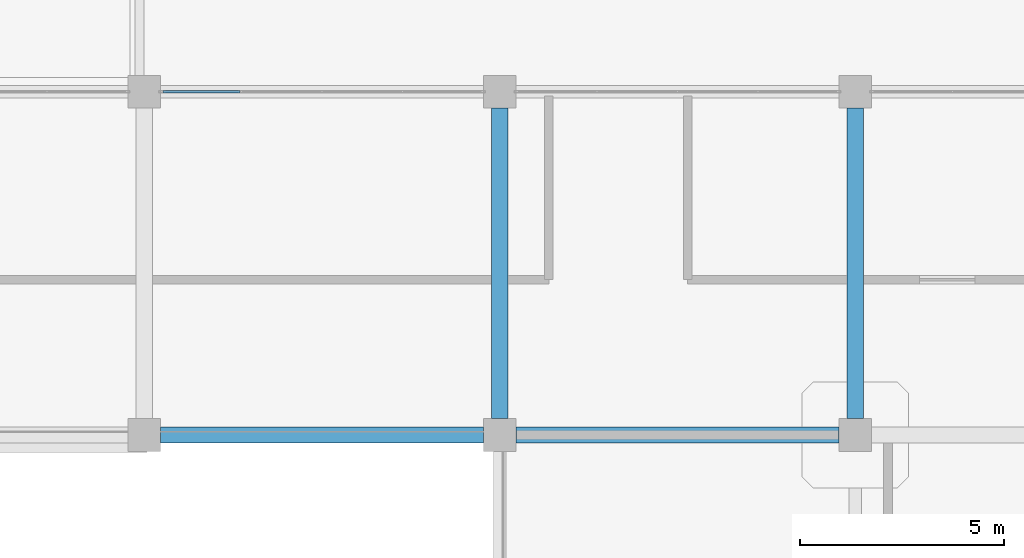
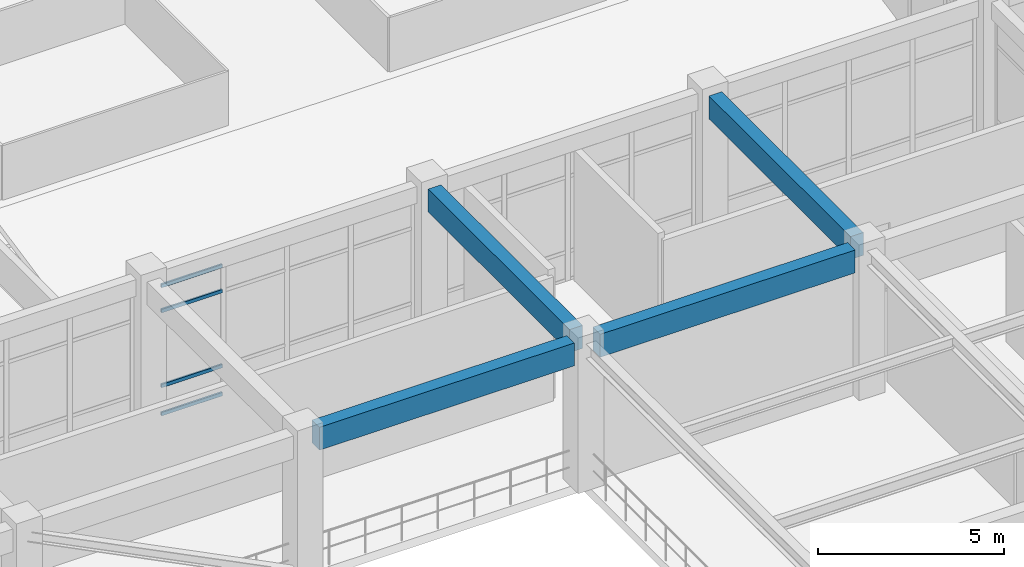
# One storey, part 52 of 124: 4 beams, 4 members, 1 element without a shape of its own.
"""IFC4 building model written with IfcOpenShell, lengths in metres."""

from ifc_helpers import new_model, si_unit, derived_unit, direction, frame, origin, origin_2d, place, context, subcontext, project, spatial, rectangle, hollow_rectangle, extrude, material, layer, layer_set, material_profile, profile_set, type_object, element, aggregate, save


model = new_model("IFC4")

# Units and contexts
model_context = context("Model", 3, precision=1e-05, world=origin(), true_north=direction((0.0, 1.0)))
body_context = subcontext(model_context, "Body", "Model", "MODEL_VIEW")
ifc_project = project(units=[si_unit("LENGTHUNIT", "METRE"), si_unit("AREAUNIT", "SQUARE_METRE"), si_unit("VOLUMEUNIT", "CUBIC_METRE"), si_unit("PLANEANGLEUNIT", "RADIAN"), si_unit("MASSUNIT", "GRAM", prefix="KILO"), derived_unit("THERMALTRANSMITTANCEUNIT", [(si_unit("MASSUNIT", "GRAM", prefix="KILO"), 1), (si_unit("TIMEUNIT", "SECOND"), -3), (si_unit("THERMODYNAMICTEMPERATUREUNIT", "KELVIN"), -1)])], contexts=[model_context])

# Site, building, storey
site_placement = place(None, origin())
site = spatial("IfcSite", under=ifc_project, at=site_placement, CompositionType="ELEMENT")
building_placement = place(site_placement, origin())
building = spatial("IfcBuilding", under=site, at=building_placement, Name="Qinzheling Arcade Emporium", CompositionType="ELEMENT")
storey_placement = place(building_placement, frame((0.0, 0.0, 16.5)))
storey = spatial("IfcBuildingStorey", under=building, at=storey_placement, Name="L04", CompositionType="ELEMENT", Elevation=16.5)

# Curtain wall, members
ifc_material_1 = material(Name="Anodised aluminium and solar-control double glazing", Category="aluminium")
ifc_layer = layer(ifc_material_1, 0.159912109375, Name="Anodised aluminium and solar-control double glazing", Category="aluminium")
ifc_layer_set = layer_set([ifc_layer], Name="Anodised aluminium and solar-control double glazing")
curtain_wall_type = type_object("IfcCurtainWallType", Name="Atrium Clerestory Curtain Wall", PredefinedType="NOTDEFINED", material=ifc_layer_set)
curtain_wall_placement = place(storey_placement, origin())
curtain_wall = element("IfcCurtainWall", 1, at=curtain_wall_placement, inside=storey, type_object=curtain_wall_type, Name="Curtain Wall CW-L04-247", PredefinedType="NOTDEFINED")
ifc_material_2 = material(Name="Anodised aluminium 6063-T6", Category="aluminium")
ifc_material_profile_1 = material_profile(ifc_material_2, hollow_rectangle(XDim=0.06005859375, YDim=0.1201171875, WallThickness=0.00390625, InnerFilletRadius=0.00390625, OuterFilletRadius=0.008056640625, at=origin_2d()), Name="RHS 120x60x4", Category="aluminium")
ifc_profile_set_1 = profile_set([ifc_material_profile_1], Name="Anodised aluminium 6063-T6")
member_type = type_object("IfcMemberType", Name="Curtain Wall Transom RHS120x60", PredefinedType="USERDEFINED", material=ifc_profile_set_1)
member_1_placement = place(storey_placement, frame((78.761962890625, 73.800048828125, 0.030029296875), z_axis=(1.0, 0.0, 0.0), x_axis=(0.0, 1.0, 0.0)))
member_1 = element("IfcMember", 2, at=member_1_placement, type_object=member_type, Name="CW03 transom 1.1", ObjectType="TRANSOM", PredefinedType="USERDEFINED", context=body_context, shape_type="SweptSolid", body=[
    extrude(hollow_rectangle(XDim=0.06005859375, YDim=0.1201171875, WallThickness=0.00390625, InnerFilletRadius=0.00390625, OuterFilletRadius=0.008056640625, at=origin_2d()), origin(), (0.0, 0.0, 1.0), 1.884033203125),
])
member_2_placement = place(storey_placement, frame((78.761962890625, 73.800048828125, 0.949951171875), z_axis=(1.0, 0.0, 0.0), x_axis=(0.0, 1.0, 0.0)))
member_2 = element("IfcMember", 3, at=member_2_placement, type_object=member_type, Name="CW03 transom 1.2", ObjectType="TRANSOM", PredefinedType="USERDEFINED", context=body_context, shape_type="SweptSolid", body=[
    extrude(hollow_rectangle(XDim=0.06005859375, YDim=0.1201171875, WallThickness=0.00390625, InnerFilletRadius=0.00390625, OuterFilletRadius=0.008056640625, at=origin_2d()), origin(), (0.0, 0.0, 1.0), 1.884033203125),
])
member_3_placement = place(storey_placement, frame((78.761962890625, 73.800048828125, 3.405029296875), z_axis=(1.0, 0.0, 0.0), x_axis=(0.0, 1.0, 0.0)))
member_3 = element("IfcMember", 4, at=member_3_placement, type_object=member_type, Name="CW03 transom 1.3", ObjectType="TRANSOM", PredefinedType="USERDEFINED", context=body_context, shape_type="SweptSolid", body=[
    extrude(hollow_rectangle(XDim=0.06005859375, YDim=0.1201171875, WallThickness=0.00390625, InnerFilletRadius=0.00390625, OuterFilletRadius=0.008056640625, at=origin_2d()), origin(), (0.0, 0.0, 1.0), 1.884033203125),
])
member_4_placement = place(storey_placement, frame((78.761962890625, 73.800048828125, 4.22509765625), z_axis=(1.0, 0.0, 0.0), x_axis=(0.0, 1.0, 0.0)))
member_4 = element("IfcMember", 5, at=member_4_placement, type_object=member_type, Name="CW03 transom 1.4", ObjectType="TRANSOM", PredefinedType="USERDEFINED", context=body_context, shape_type="SweptSolid", body=[
    extrude(hollow_rectangle(XDim=0.06005859375, YDim=0.1201171875, WallThickness=0.00390625, InnerFilletRadius=0.00390625, OuterFilletRadius=0.008056640625, at=origin_2d()), origin(), (0.0, 0.0, 1.0), 1.884033203125),
])
aggregate(curtain_wall, [member_1, member_2, member_3, member_4])

# Beams
ifc_material_3 = material(Name="Concrete C40", Category="concrete")
ifc_material_profile_2 = material_profile(ifc_material_3, rectangle(XDim=0.39990234375, YDim=0.75, at=origin_2d()), Name="RC 400x750", Category="concrete")
ifc_profile_set_2 = profile_set([ifc_material_profile_2], Name="Concrete C40")
beam_type = type_object("IfcBeamType", Name="RC Interior Tie Beam 400x750 C40", PredefinedType="BEAM", material=ifc_profile_set_2)
for number, where, z_axis, x_axis, name in (
    (6, (78.699951171875, 65.39990234375, 4.445068359375), (1.0, 0.0, 0.0), (0.0, 1.0, 0.0), "Beam BM-L04-X-H-10"),
    (7, (87.39990234375, 65.39990234375, 4.445068359375), (1.0, 0.0, 0.0), (0.0, 1.0, 0.0), "Beam BM-L04-X-H-11"),
):
    element("IfcBeam", number, at=place(storey_placement, frame(where, z_axis=z_axis, x_axis=x_axis)), inside=storey, type_object=beam_type, Name=name, PredefinedType="BEAM", context=body_context, shape_type="SweptSolid", body=[
        extrude(rectangle(XDim=0.39990234375, YDim=0.75, at=origin_2d()), origin(), (0.0, 0.0, 1.0), 7.900146484375),
    ])
for number, where, z_axis, x_axis, name in (
    (8, (87.0, 65.800048828125, 4.445068359375), (0.0, 1.0, 0.0), (-1.0, 0.0, 0.0), "Beam BM-L04-Y-11-H"),
    (9, (95.699951171875, 65.800048828125, 4.445068359375), (0.0, 1.0, 0.0), (-1.0, 0.0, 0.0), "Beam BM-L04-Y-12-H"),
):
    element("IfcBeam", number, at=place(storey_placement, frame(where, z_axis=z_axis, x_axis=x_axis)), inside=storey, type_object=beam_type, Name=name, PredefinedType="BEAM", context=body_context, shape_type="SweptSolid", body=[
        extrude(rectangle(XDim=0.39990234375, YDim=0.75, at=origin_2d()), origin(), (0.0, 0.0, 1.0), 7.599853515625),
    ])

save(model, "model.ifc")
